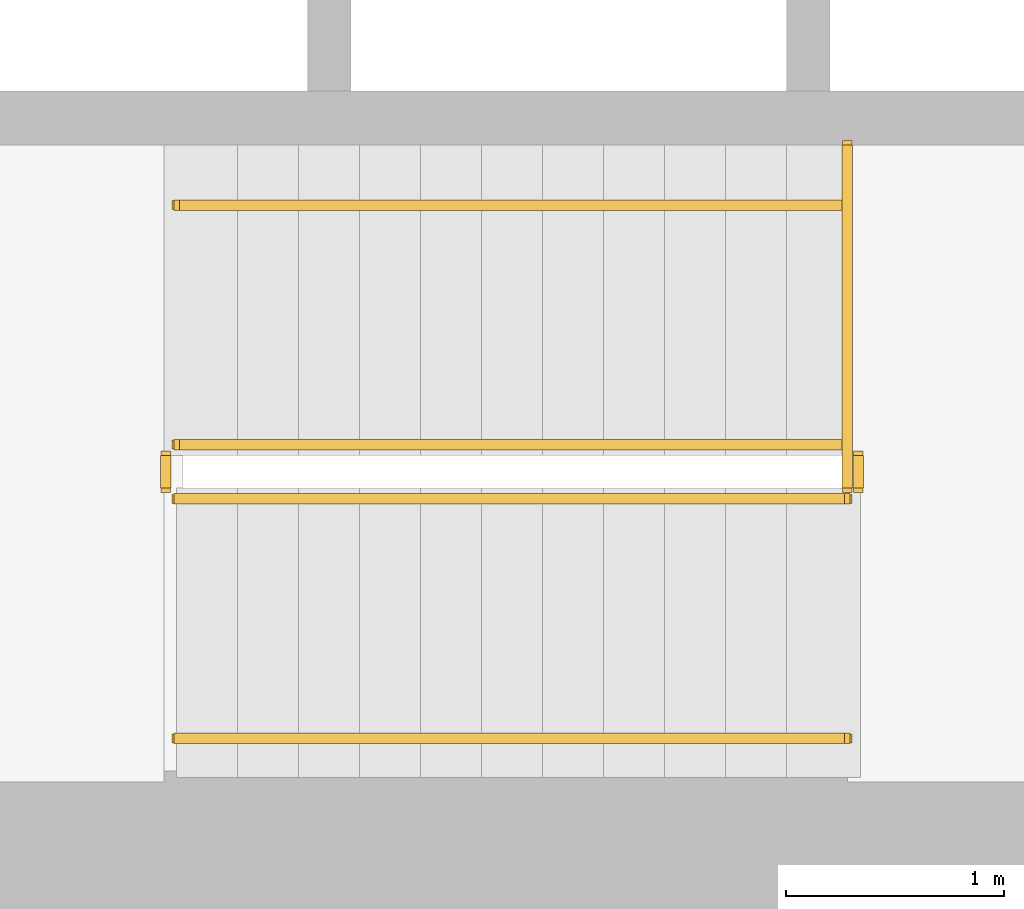
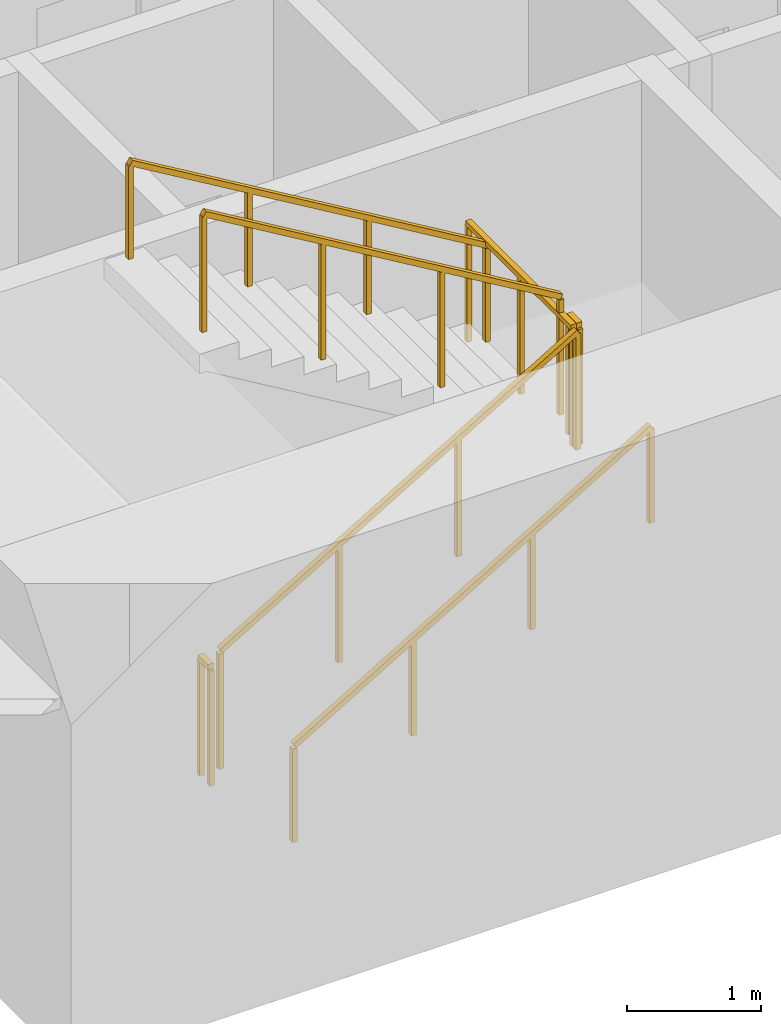
# One storey, part 12 of 15: 7 railings.
"""IFC4 building model written with IfcOpenShell, lengths in metres."""

from ifc_helpers import new_model, si_unit, direction, frame, origin, origin_2d, place, context, subcontext, project, spatial, rectangle, extrude, material, type_object, element, save


model = new_model("IFC4")

# Units and contexts
model_context = context("Model", 3, precision=1e-05, world=origin(), true_north=direction((0.0, 1.0)))
body_context = subcontext(model_context, "Body", "Model", "MODEL_VIEW")
ifc_project = project(units=[si_unit("LENGTHUNIT", "METRE"), si_unit("AREAUNIT", "SQUARE_METRE"), si_unit("VOLUMEUNIT", "CUBIC_METRE"), si_unit("PLANEANGLEUNIT", "RADIAN"), si_unit("MASSUNIT", "GRAM", prefix="KILO")], contexts=[model_context])

# Site, building, storey
site_placement = place(None, origin())
site = spatial("IfcSite", under=ifc_project, at=site_placement, CompositionType="ELEMENT")
building_placement = place(site_placement, origin())
building = spatial("IfcBuilding", under=site, at=building_placement, Name="Sennacour Bend Tower", CompositionType="ELEMENT")
storey_placement = place(building_placement, frame((0.0, 0.0, 65.0)))
storey = spatial("IfcBuildingStorey", under=building, at=storey_placement, Name="L14", CompositionType="ELEMENT", Elevation=65.0)

# Railings
ifc_material = material(Name="Stainless steel", Category="steel")
railing_type_1 = type_object("IfcRailingType", Name="RL-GUARD-1100", PredefinedType="GUARDRAIL", material=ifc_material)
railing_1_placement = place(storey_placement, frame((56.699951171875, 2.449951171875, 0.166748046875)))
element("IfcRailing", 1, at=railing_1_placement, inside=storey, type_object=railing_type_1, Name="L14 SA1 stair guard 1", PredefinedType="GUARDRAIL", context=body_context, shape_type="SweptSolid", body=[
    extrude(rectangle(XDim=0.048095703125, YDim=0.048095703125, at=origin_2d()), frame((0.0, 0.0, 1.076171875), z_axis=(0.859308565015, 0.0, 0.511457515432), x_axis=(0.0, 1.0, 0.0)), (0.0, 0.0, 1.0), 3.58447265625),
    extrude(rectangle(XDim=0.0419921875, YDim=0.0419921875, at=origin_2d()), origin(), (0.0, 0.0, 1.0), 1.052001953125),
    extrude(rectangle(XDim=0.0419921875, YDim=0.0419921875, at=origin_2d()), frame((1.026611328125, 0.0, 0.611083984375)), (0.0, 0.0, 1.0), 1.052001953125),
    extrude(rectangle(XDim=0.0419921875, YDim=0.0419921875, at=origin_2d()), frame((2.053466796875, 0.0, 1.22216796875)), (0.0, 0.0, 1.0), 1.052001953125),
    extrude(rectangle(XDim=0.0419921875, YDim=0.0419921875, at=origin_2d()), frame((3.080078125, 0.0, 1.833251953125)), (0.0, 0.0, 1.0), 1.052001953125),
])
railing_2_placement = place(storey_placement, frame((59.830078125, 2.5, 2.0)))
element("IfcRailing", 2, at=railing_2_placement, inside=storey, type_object=railing_type_1, Name="L14 SA1 stair guard 2", PredefinedType="GUARDRAIL", context=body_context, shape_type="SweptSolid", body=[
    extrude(rectangle(XDim=0.048095703125, YDim=0.048095703125, at=origin_2d()), frame((0.0, 0.0, 1.076171875), z_axis=(0.0, 1.0, 0.0), x_axis=(-1.0, 0.0, 0.0)), (0.0, 0.0, 1.0), 0.14990234375),
    extrude(rectangle(XDim=0.0419921875, YDim=0.0419921875, at=origin_2d()), origin(), (0.0, 0.0, 1.0), 1.052001953125),
    extrude(rectangle(XDim=0.0419921875, YDim=0.0419921875, at=origin_2d()), frame((0.0, 0.14990234375, 0.0)), (0.0, 0.0, 1.0), 1.052001953125),
])
railing_3_placement = place(storey_placement, frame((59.780029296875, 2.699951171875, 2.166748046875)))
element("IfcRailing", 3, at=railing_3_placement, inside=storey, type_object=railing_type_1, Name="L14 SA1 stair guard 4", PredefinedType="GUARDRAIL", context=body_context, shape_type="SweptSolid", body=[
    extrude(rectangle(XDim=0.048095703125, YDim=0.048095703125, at=origin_2d()), frame((0.0, 0.0, 1.076171875), z_axis=(-0.859308565015, 0.0, 0.511457515432), x_axis=(0.0, -1.0, 0.0)), (0.0, 0.0, 1.0), 3.58447265625),
    extrude(rectangle(XDim=0.0419921875, YDim=0.0419921875, at=origin_2d()), origin(), (0.0, 0.0, 1.0), 1.052001953125),
    extrude(rectangle(XDim=0.0419921875, YDim=0.0419921875, at=origin_2d()), frame((-1.026611328125, 0.0, 0.611083984375)), (0.0, 0.0, 1.0), 1.052001953125),
    extrude(rectangle(XDim=0.0419921875, YDim=0.0419921875, at=origin_2d()), frame((-2.053466796875, 0.0, 1.22216796875)), (0.0, 0.0, 1.0), 1.052001953125),
    extrude(rectangle(XDim=0.0419921875, YDim=0.0419921875, at=origin_2d()), frame((-3.080078125, 0.0, 1.833251953125)), (0.0, 0.0, 1.0), 1.052001953125),
])
railing_4_placement = place(storey_placement, frame((56.64990234375, 2.5, 0.0)))
element("IfcRailing", 4, at=railing_4_placement, inside=storey, type_object=railing_type_1, Name="L14 SA1 stair guard 5", PredefinedType="GUARDRAIL", context=body_context, shape_type="SweptSolid", body=[
    extrude(rectangle(XDim=0.048095703125, YDim=0.048095703125, at=origin_2d()), frame((0.0, 0.0, 1.076171875), z_axis=(0.0, 1.0, 0.0), x_axis=(-1.0, 0.0, 0.0)), (0.0, 0.0, 1.0), 0.14990234375),
    extrude(rectangle(XDim=0.0419921875, YDim=0.0419921875, at=origin_2d()), origin(), (0.0, 0.0, 1.0), 1.052001953125),
    extrude(rectangle(XDim=0.0419921875, YDim=0.0419921875, at=origin_2d()), frame((0.0, 0.14990234375, 0.0)), (0.0, 0.0, 1.0), 1.052001953125),
])
railing_5_placement = place(storey_placement, frame((59.780029296875, 2.5, 2.0)))
element("IfcRailing", 5, at=railing_5_placement, inside=storey, type_object=railing_type_1, Name="L14 SA1 landing edge guard 29", PredefinedType="GUARDRAIL", context=body_context, shape_type="SweptSolid", body=[
    extrude(rectangle(XDim=0.048095703125, YDim=0.048095703125, at=origin_2d()), frame((0.0, 0.0, 1.076171875), z_axis=(0.0, 1.0, 0.0), x_axis=(-1.0, 0.0, 0.0)), (0.0, 0.0, 1.0), 1.574951171875),
    extrude(rectangle(XDim=0.0419921875, YDim=0.0419921875, at=origin_2d()), origin(), (0.0, 0.0, 1.0), 1.052001953125),
    extrude(rectangle(XDim=0.0419921875, YDim=0.0419921875, at=origin_2d()), frame((0.0, 0.78759765625, 0.0)), (0.0, 0.0, 1.0), 1.052001953125),
    extrude(rectangle(XDim=0.0419921875, YDim=0.0419921875, at=origin_2d()), frame((0.0, 1.574951171875, 0.0)), (0.0, 0.0, 1.0), 1.052001953125),
])
railing_type_2 = type_object("IfcRailingType", Name="RL-HANDRAIL-900", PredefinedType="HANDRAIL", material=ifc_material)
railing_6_placement = place(storey_placement, frame((56.699951171875, 1.35009765625, 0.166748046875)))
element("IfcRailing", 6, at=railing_6_placement, inside=storey, type_object=railing_type_2, Name="L14 SA1 stair handrail 1", PredefinedType="HANDRAIL", context=body_context, shape_type="SweptSolid", body=[
    extrude(rectangle(XDim=0.048095703125, YDim=0.048095703125, at=origin_2d()), frame((0.0, 0.0, 0.8759765625), z_axis=(0.859308565015, 0.0, 0.511457515432), x_axis=(0.0, 1.0, 0.0)), (0.0, 0.0, 1.0), 3.58447265625),
    extrude(rectangle(XDim=0.0419921875, YDim=0.0419921875, at=origin_2d()), origin(), (0.0, 0.0, 1.0), 0.851806640625),
    extrude(rectangle(XDim=0.0419921875, YDim=0.0419921875, at=origin_2d()), frame((1.026611328125, 0.0, 0.611083984375)), (0.0, 0.0, 1.0), 0.851806640625),
    extrude(rectangle(XDim=0.0419921875, YDim=0.0419921875, at=origin_2d()), frame((2.053466796875, 0.0, 1.22216796875)), (0.0, 0.0, 1.0), 0.851806640625),
    extrude(rectangle(XDim=0.0419921875, YDim=0.0419921875, at=origin_2d()), frame((3.080078125, 0.0, 1.833251953125)), (0.0, 0.0, 1.0), 0.851806640625),
])
railing_7_placement = place(storey_placement, frame((59.780029296875, 3.800048828125, 2.166748046875)))
element("IfcRailing", 7, at=railing_7_placement, inside=storey, type_object=railing_type_2, Name="L14 SA1 stair handrail 2", PredefinedType="HANDRAIL", context=body_context, shape_type="SweptSolid", body=[
    extrude(rectangle(XDim=0.048095703125, YDim=0.048095703125, at=origin_2d()), frame((0.0, 0.0, 0.8759765625), z_axis=(-0.859308565015, 0.0, 0.511457515432), x_axis=(0.0, -1.0, 0.0)), (0.0, 0.0, 1.0), 3.58447265625),
    extrude(rectangle(XDim=0.0419921875, YDim=0.0419921875, at=origin_2d()), origin(), (0.0, 0.0, 1.0), 0.851806640625),
    extrude(rectangle(XDim=0.0419921875, YDim=0.0419921875, at=origin_2d()), frame((-1.026611328125, 0.0, 0.611083984375)), (0.0, 0.0, 1.0), 0.851806640625),
    extrude(rectangle(XDim=0.0419921875, YDim=0.0419921875, at=origin_2d()), frame((-2.053466796875, 0.0, 1.22216796875)), (0.0, 0.0, 1.0), 0.851806640625),
    extrude(rectangle(XDim=0.0419921875, YDim=0.0419921875, at=origin_2d()), frame((-3.080078125, 0.0, 1.833251953125)), (0.0, 0.0, 1.0), 0.851806640625),
])

save(model, "model.ifc")
